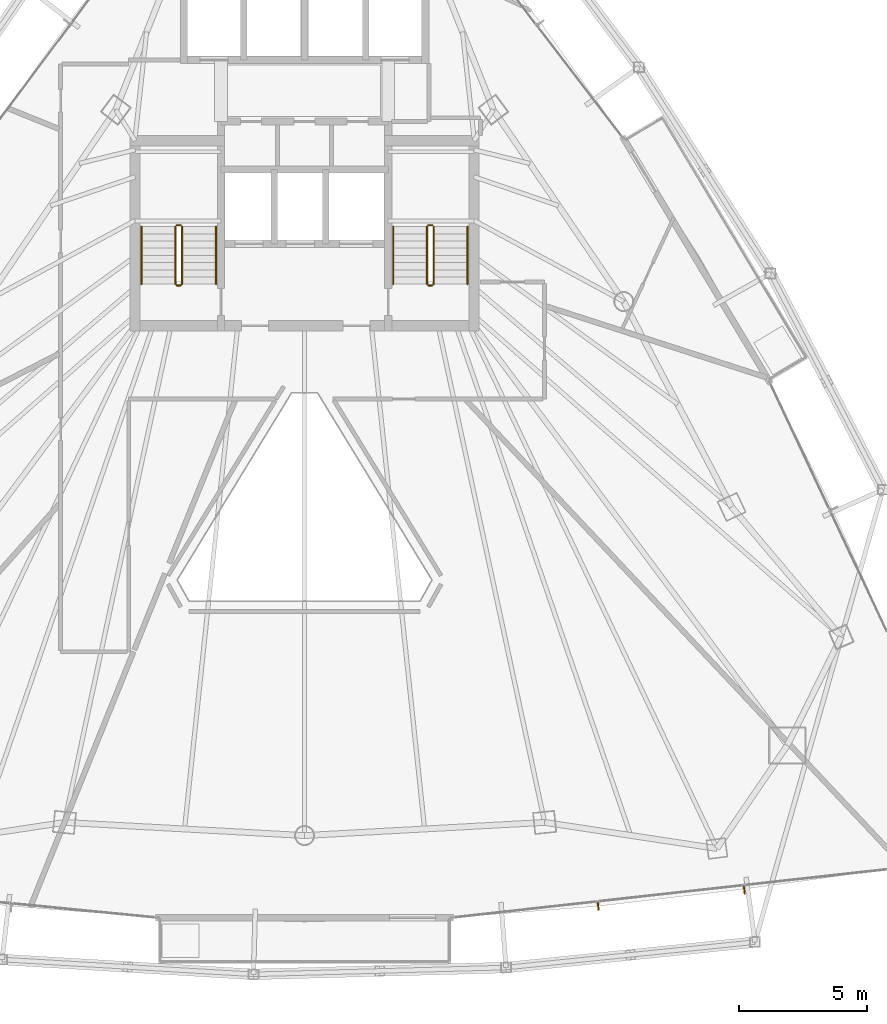
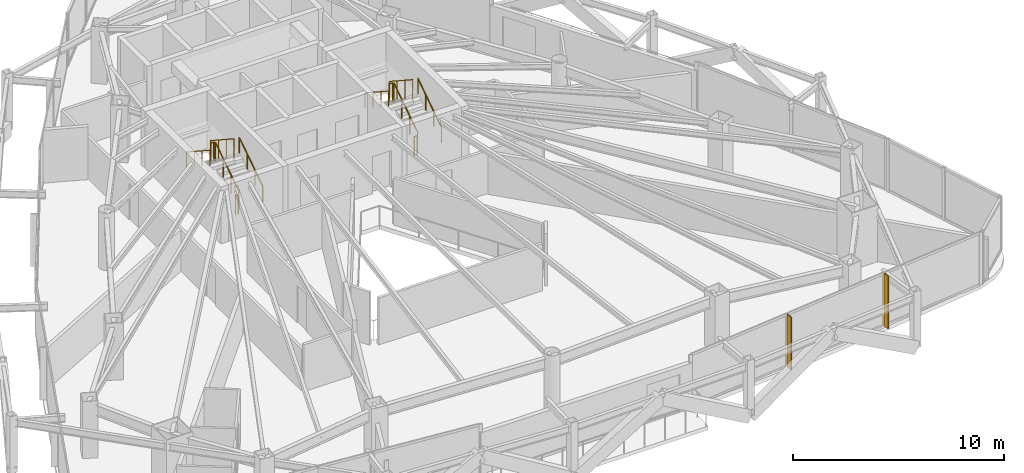
# One storey, part 30 of 31: 12 railings, 2 shading devices.
"""IFC4 building model written with IfcOpenShell, lengths in metres."""

from ifc_helpers import new_model, si_unit, direction, frame, origin, origin_2d, place, context, subcontext, project, spatial, rectangle, circle, extrude, material, layer, layer_set, type_object, element, save


model = new_model("IFC4")

# Units and contexts
model_context = context("Model", 3, precision=1e-05, world=origin(), true_north=direction((0.0, 1.0)))
body_context = subcontext(model_context, "Body", "Model", "MODEL_VIEW")
ifc_project = project(units=[si_unit("LENGTHUNIT", "METRE"), si_unit("AREAUNIT", "SQUARE_METRE"), si_unit("VOLUMEUNIT", "CUBIC_METRE"), si_unit("PLANEANGLEUNIT", "RADIAN"), si_unit("MASSUNIT", "GRAM", prefix="KILO")], contexts=[model_context])

# Site, building, storey
site_placement = place(None, origin())
site = spatial("IfcSite", under=ifc_project, at=site_placement, CompositionType="ELEMENT")
building_placement = place(site_placement, origin())
building = spatial("IfcBuilding", under=site, at=building_placement, Name="Orvanel Arch Residences", CompositionType="ELEMENT")
storey_placement = place(building_placement, frame((0.0, 0.0, 150.64990234375)))
storey = spatial("IfcBuildingStorey", under=building, at=storey_placement, Name="L42", CompositionType="ELEMENT", Elevation=150.64990234375)

# Shading devices
ifc_material_1 = material(Name="Bronze-anodised aluminium AA6063-T6", Category="aluminium")
ifc_layer = layer(ifc_material_1, 0.054931640625)
ifc_layer_set = layer_set([ifc_layer], Name="Bronze-anodised aluminium AA6063-T6")
shading_device_type = type_object("IfcShadingDeviceType", Name="FIN-BRZ-320", PredefinedType="USERDEFINED", material=ifc_layer_set)
for number, where, z_axis, x_axis, name in (
    (1, (44.43603515625, 4.089111328125, 0.0), (0.0, 0.0, 1.0), (0.109734311091, -0.993960955455, 0.0), "L42 Anodised Bronze Mullion FIN 01"),
    (2, (50.126953125, 4.720947265625, 0.0), (0.0, 0.0, 1.0), (0.109734311091, -0.993960955455, 0.0), "L42 Anodised Bronze Mullion FIN 02"),
):
    element("IfcShadingDevice", number, at=place(storey_placement, frame(where, z_axis=z_axis, x_axis=x_axis)), inside=storey, type_object=shading_device_type, Name=name, ObjectType="FIN", PredefinedType="USERDEFINED", context=body_context, shape_type="SweptSolid", body=[
        extrude(rectangle(XDim=0.320068359375, YDim=0.054931640625, at=origin_2d()), origin(), (0.0, 0.0, 1.0), 3.06005859375),
    ])

# Railings
ifc_material_2 = material(Name="Structural steel AS/NZS 1163 C350L0 (Grade 350)", Category="steel")
railing_type_1 = type_object("IfcRailingType", Name="RL-STAIR-GUARD", PredefinedType="GUARDRAIL", material=ifc_material_2)
railing_1_placement = place(storey_placement, frame((28.22998046875, 28.320068359375, 0.183349609375)))
element("IfcRailing", 3, at=railing_1_placement, inside=storey, type_object=railing_type_1, Name="L42 ST-1 stair guard 1", PredefinedType="GUARDRAIL", context=body_context, shape_type="SweptSolid", body=[
    extrude(circle(Radius=0.02392578125, at=origin_2d()), frame((0.0, 0.001220703125, 1.076904296875), z_axis=(0.0, 0.836595146698, 0.547821650285), x_axis=(-1.0, 0.0, 0.0)), (0.0, 0.0, 1.0), 2.674560546875),
    extrude(circle(Radius=0.02099609375, at=origin_2d()), origin(), (0.0, 0.0, 1.0), 1.050048828125),
    extrude(circle(Radius=0.02099609375, at=origin_2d()), frame((0.0, 0.74658203125, 0.489013671875)), (0.0, 0.0, 1.0), 1.050048828125),
    extrude(circle(Radius=0.02099609375, at=origin_2d()), frame((0.0, 1.493408203125, 0.977783203125)), (0.0, 0.0, 1.0), 1.050048828125),
    extrude(circle(Radius=0.02099609375, at=origin_2d()), frame((0.0, 2.239990234375, 1.466796875)), (0.0, 0.0, 1.0), 1.050048828125),
])
railing_2_placement = place(storey_placement, frame((28.179931640625, 30.610107421875, 1.650146484375)))
element("IfcRailing", 4, at=railing_2_placement, inside=storey, type_object=railing_type_1, Name="L42 ST-1 stair guard 2", PredefinedType="GUARDRAIL", context=body_context, shape_type="SweptSolid", body=[
    extrude(circle(Radius=0.02392578125, at=origin_2d()), frame((-0.00146484375, 0.0, 1.076171875), z_axis=(-1.0, 0.0, 0.0), x_axis=(0.0, -1.0, 0.0)), (0.0, 0.0, 1.0), 0.156982421875),
    extrude(circle(Radius=0.02099609375, at=origin_2d()), origin(), (0.0, 0.0, 1.0), 1.050048828125),
    extrude(circle(Radius=0.02099609375, at=origin_2d()), frame((-0.159912109375, 0.0, 0.0)), (0.0, 0.0, 1.0), 1.050048828125),
])
railing_3_placement = place(storey_placement, frame((27.969970703125, 30.56005859375, 1.83349609375)))
element("IfcRailing", 5, at=railing_3_placement, inside=storey, type_object=railing_type_1, Name="L42 ST-1 stair guard 3", PredefinedType="GUARDRAIL", context=body_context, shape_type="SweptSolid", body=[
    extrude(circle(Radius=0.02392578125, at=origin_2d()), frame((0.0, -0.001220703125, 1.076904296875), z_axis=(0.0, -0.836636935527, 0.547757827979), x_axis=(1.0, 0.0, 0.0)), (0.0, 0.0, 1.0), 2.67431640625),
    extrude(circle(Radius=0.02099609375, at=origin_2d()), origin(), (0.0, 0.0, 1.0), 1.050048828125),
    extrude(circle(Radius=0.02099609375, at=origin_2d()), frame((0.0, -0.74658203125, 0.48876953125)), (0.0, 0.0, 1.0), 1.050048828125),
    extrude(circle(Radius=0.02099609375, at=origin_2d()), frame((0.0, -1.493408203125, 0.977783203125)), (0.0, 0.0, 1.0), 1.050048828125),
    extrude(circle(Radius=0.02099609375, at=origin_2d()), frame((0.0, -2.239990234375, 1.466552734375)), (0.0, 0.0, 1.0), 1.050048828125),
])
railing_4_placement = place(storey_placement, frame((28.179931640625, 28.27001953125, 0.0)))
element("IfcRailing", 6, at=railing_4_placement, inside=storey, type_object=railing_type_1, Name="L42 ST-1 stair guard 4", PredefinedType="GUARDRAIL", context=body_context, shape_type="SweptSolid", body=[
    extrude(circle(Radius=0.02392578125, at=origin_2d()), frame((-0.00146484375, 0.0, 1.076171875), z_axis=(-1.0, 0.0, 0.0), x_axis=(0.0, -1.0, 0.0)), (0.0, 0.0, 1.0), 0.156982421875),
    extrude(circle(Radius=0.02099609375, at=origin_2d()), origin(), (0.0, 0.0, 1.0), 1.050048828125),
    extrude(circle(Radius=0.02099609375, at=origin_2d()), frame((-0.159912109375, 0.0, 0.0)), (0.0, 0.0, 1.0), 1.050048828125),
])
railing_5_placement = place(storey_placement, frame((38.030029296875, 28.320068359375, 0.183349609375)))
element("IfcRailing", 7, at=railing_5_placement, inside=storey, type_object=railing_type_1, Name="L42 ST-2 stair guard 1", PredefinedType="GUARDRAIL", context=body_context, shape_type="SweptSolid", body=[
    extrude(circle(Radius=0.02392578125, at=origin_2d()), frame((0.0, 0.001220703125, 1.076904296875), z_axis=(0.0, 0.836595146698, 0.547821650285), x_axis=(-1.0, 0.0, 0.0)), (0.0, 0.0, 1.0), 2.674560546875),
    extrude(circle(Radius=0.02099609375, at=origin_2d()), origin(), (0.0, 0.0, 1.0), 1.050048828125),
    extrude(circle(Radius=0.02099609375, at=origin_2d()), frame((0.0, 0.74658203125, 0.489013671875)), (0.0, 0.0, 1.0), 1.050048828125),
    extrude(circle(Radius=0.02099609375, at=origin_2d()), frame((0.0, 1.493408203125, 0.977783203125)), (0.0, 0.0, 1.0), 1.050048828125),
    extrude(circle(Radius=0.02099609375, at=origin_2d()), frame((0.0, 2.239990234375, 1.466796875)), (0.0, 0.0, 1.0), 1.050048828125),
])
railing_6_placement = place(storey_placement, frame((37.97998046875, 30.610107421875, 1.650146484375)))
element("IfcRailing", 8, at=railing_6_placement, inside=storey, type_object=railing_type_1, Name="L42 ST-2 stair guard 2", PredefinedType="GUARDRAIL", context=body_context, shape_type="SweptSolid", body=[
    extrude(circle(Radius=0.02392578125, at=origin_2d()), frame((-0.00146484375, 0.0, 1.076171875), z_axis=(-1.0, 0.0, 0.0), x_axis=(0.0, -1.0, 0.0)), (0.0, 0.0, 1.0), 0.156982421875),
    extrude(circle(Radius=0.02099609375, at=origin_2d()), origin(), (0.0, 0.0, 1.0), 1.050048828125),
    extrude(circle(Radius=0.02099609375, at=origin_2d()), frame((-0.159912109375, 0.0, 0.0)), (0.0, 0.0, 1.0), 1.050048828125),
])
railing_7_placement = place(storey_placement, frame((37.77001953125, 30.56005859375, 1.83349609375)))
element("IfcRailing", 9, at=railing_7_placement, inside=storey, type_object=railing_type_1, Name="L42 ST-2 stair guard 3", PredefinedType="GUARDRAIL", context=body_context, shape_type="SweptSolid", body=[
    extrude(circle(Radius=0.02392578125, at=origin_2d()), frame((0.0, -0.001220703125, 1.076904296875), z_axis=(0.0, -0.836636935527, 0.547757827979), x_axis=(1.0, 0.0, 0.0)), (0.0, 0.0, 1.0), 2.67431640625),
    extrude(circle(Radius=0.02099609375, at=origin_2d()), origin(), (0.0, 0.0, 1.0), 1.050048828125),
    extrude(circle(Radius=0.02099609375, at=origin_2d()), frame((0.0, -0.74658203125, 0.48876953125)), (0.0, 0.0, 1.0), 1.050048828125),
    extrude(circle(Radius=0.02099609375, at=origin_2d()), frame((0.0, -1.493408203125, 0.977783203125)), (0.0, 0.0, 1.0), 1.050048828125),
    extrude(circle(Radius=0.02099609375, at=origin_2d()), frame((0.0, -2.239990234375, 1.466552734375)), (0.0, 0.0, 1.0), 1.050048828125),
])
railing_8_placement = place(storey_placement, frame((37.97998046875, 28.27001953125, 0.0)))
element("IfcRailing", 10, at=railing_8_placement, inside=storey, type_object=railing_type_1, Name="L42 ST-2 stair guard 4", PredefinedType="GUARDRAIL", context=body_context, shape_type="SweptSolid", body=[
    extrude(circle(Radius=0.02392578125, at=origin_2d()), frame((-0.00146484375, 0.0, 1.076171875), z_axis=(-1.0, 0.0, 0.0), x_axis=(0.0, -1.0, 0.0)), (0.0, 0.0, 1.0), 0.156982421875),
    extrude(circle(Radius=0.02099609375, at=origin_2d()), origin(), (0.0, 0.0, 1.0), 1.050048828125),
    extrude(circle(Radius=0.02099609375, at=origin_2d()), frame((-0.159912109375, 0.0, 0.0)), (0.0, 0.0, 1.0), 1.050048828125),
])
railing_type_2 = type_object("IfcRailingType", Name="RL-STAIR-HAND", PredefinedType="HANDRAIL", material=ifc_material_2)
railing_9_placement = place(storey_placement, frame((29.550048828125, 28.320068359375, 0.183349609375)))
element("IfcRailing", 11, at=railing_9_placement, inside=storey, type_object=railing_type_2, Name="L42 ST-1 stair handrail 1", PredefinedType="HANDRAIL", context=body_context, shape_type="SweptSolid", body=[
    extrude(circle(Radius=0.02392578125, at=origin_2d()), frame((0.0, 0.001220703125, 0.876708984375), z_axis=(0.0, 0.836595146698, 0.547821650285), x_axis=(-1.0, 0.0, 0.0)), (0.0, 0.0, 1.0), 2.674560546875),
    extrude(circle(Radius=0.02099609375, at=origin_2d()), origin(), (0.0, 0.0, 1.0), 0.849853515625),
    extrude(circle(Radius=0.02099609375, at=origin_2d()), frame((0.0, 0.74658203125, 0.489013671875)), (0.0, 0.0, 1.0), 0.849853515625),
    extrude(circle(Radius=0.02099609375, at=origin_2d()), frame((0.0, 1.493408203125, 0.977783203125)), (0.0, 0.0, 1.0), 0.849853515625),
    extrude(circle(Radius=0.02099609375, at=origin_2d()), frame((0.0, 2.239990234375, 1.466796875)), (0.0, 0.0, 1.0), 0.849853515625),
])
railing_10_placement = place(storey_placement, frame((26.64990234375, 30.56005859375, 1.83349609375)))
element("IfcRailing", 12, at=railing_10_placement, inside=storey, type_object=railing_type_2, Name="L42 ST-1 stair handrail 2", PredefinedType="HANDRAIL", context=body_context, shape_type="SweptSolid", body=[
    extrude(circle(Radius=0.02392578125, at=origin_2d()), frame((0.0, -0.001220703125, 0.876708984375), z_axis=(0.0, -0.836636935527, 0.547757827979), x_axis=(1.0, 0.0, 0.0)), (0.0, 0.0, 1.0), 2.67431640625),
    extrude(circle(Radius=0.02099609375, at=origin_2d()), origin(), (0.0, 0.0, 1.0), 0.849853515625),
    extrude(circle(Radius=0.02099609375, at=origin_2d()), frame((0.0, -0.74658203125, 0.48876953125)), (0.0, 0.0, 1.0), 0.849853515625),
    extrude(circle(Radius=0.02099609375, at=origin_2d()), frame((0.0, -1.493408203125, 0.977783203125)), (0.0, 0.0, 1.0), 0.849853515625),
    extrude(circle(Radius=0.02099609375, at=origin_2d()), frame((0.0, -2.239990234375, 1.466552734375)), (0.0, 0.0, 1.0), 0.849853515625),
])
railing_11_placement = place(storey_placement, frame((39.35009765625, 28.320068359375, 0.183349609375)))
element("IfcRailing", 13, at=railing_11_placement, inside=storey, type_object=railing_type_2, Name="L42 ST-2 stair handrail 1", PredefinedType="HANDRAIL", context=body_context, shape_type="SweptSolid", body=[
    extrude(circle(Radius=0.02392578125, at=origin_2d()), frame((0.0, 0.001220703125, 0.876708984375), z_axis=(0.0, 0.836595146698, 0.547821650285), x_axis=(-1.0, 0.0, 0.0)), (0.0, 0.0, 1.0), 2.674560546875),
    extrude(circle(Radius=0.02099609375, at=origin_2d()), origin(), (0.0, 0.0, 1.0), 0.849853515625),
    extrude(circle(Radius=0.02099609375, at=origin_2d()), frame((0.0, 0.74658203125, 0.489013671875)), (0.0, 0.0, 1.0), 0.849853515625),
    extrude(circle(Radius=0.02099609375, at=origin_2d()), frame((0.0, 1.493408203125, 0.977783203125)), (0.0, 0.0, 1.0), 0.849853515625),
    extrude(circle(Radius=0.02099609375, at=origin_2d()), frame((0.0, 2.239990234375, 1.466796875)), (0.0, 0.0, 1.0), 0.849853515625),
])
railing_12_placement = place(storey_placement, frame((36.449951171875, 30.56005859375, 1.83349609375)))
element("IfcRailing", 14, at=railing_12_placement, inside=storey, type_object=railing_type_2, Name="L42 ST-2 stair handrail 2", PredefinedType="HANDRAIL", context=body_context, shape_type="SweptSolid", body=[
    extrude(circle(Radius=0.02392578125, at=origin_2d()), frame((0.0, -0.001220703125, 0.876708984375), z_axis=(0.0, -0.836636935527, 0.547757827979), x_axis=(1.0, 0.0, 0.0)), (0.0, 0.0, 1.0), 2.67431640625),
    extrude(circle(Radius=0.02099609375, at=origin_2d()), origin(), (0.0, 0.0, 1.0), 0.849853515625),
    extrude(circle(Radius=0.02099609375, at=origin_2d()), frame((0.0, -0.74658203125, 0.48876953125)), (0.0, 0.0, 1.0), 0.849853515625),
    extrude(circle(Radius=0.02099609375, at=origin_2d()), frame((0.0, -1.493408203125, 0.977783203125)), (0.0, 0.0, 1.0), 0.849853515625),
    extrude(circle(Radius=0.02099609375, at=origin_2d()), frame((0.0, -2.239990234375, 1.466552734375)), (0.0, 0.0, 1.0), 0.849853515625),
])

save(model, "model.ifc")
